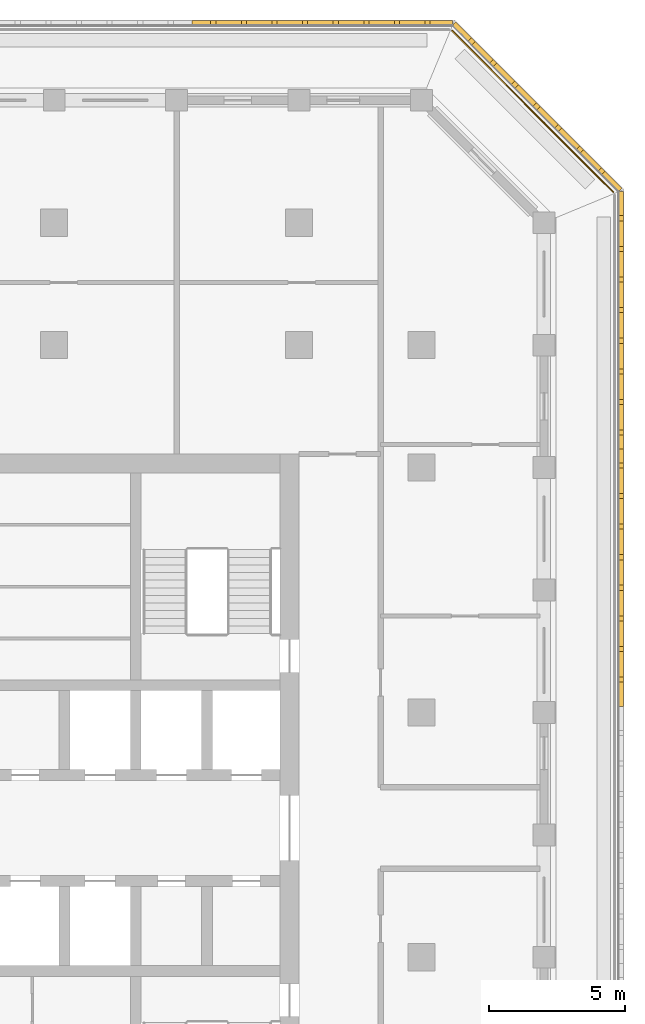
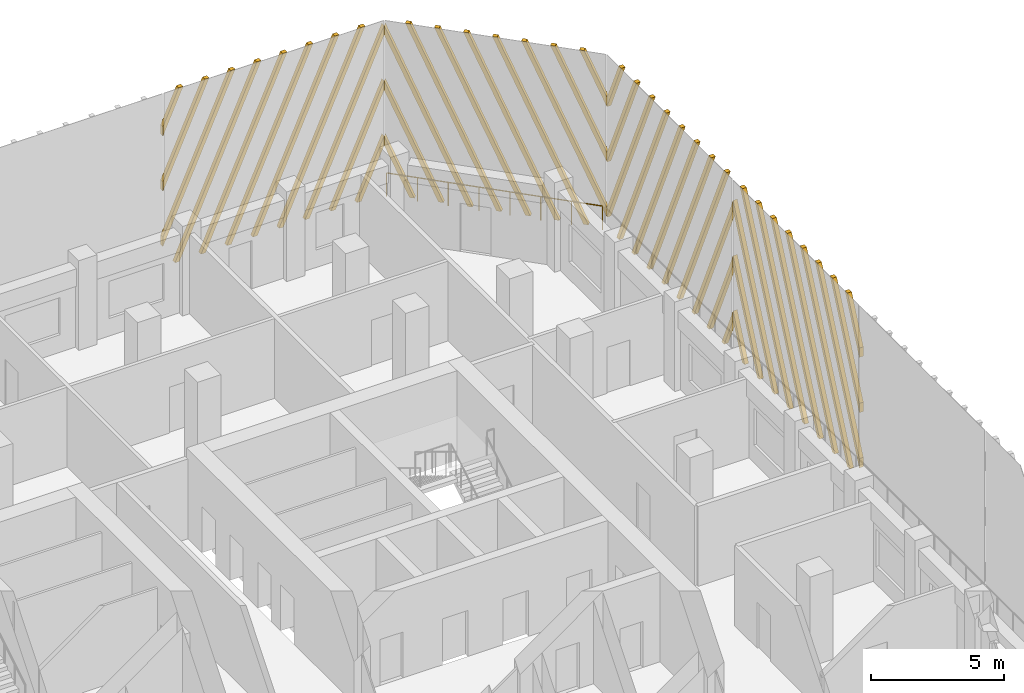
# One storey, part 16 of 17: 4 shading devices, 1 railing.
"""IFC4 building model written with IfcOpenShell, lengths in metres."""

from ifc_helpers import new_model, si_unit, direction, frame, origin, origin_2d, place, context, subcontext, project, spatial, polyline, circle, outline, extrude, source, transform, mapped, material, type_object, element, save


model = new_model("IFC4")

# Units and contexts
model_context = context("Model", 3, precision=1e-05, world=origin(), true_north=direction((0.0, 1.0)))
body_context = subcontext(model_context, "Body", "Model", "MODEL_VIEW")
ifc_project = project(units=[si_unit("LENGTHUNIT", "METRE"), si_unit("AREAUNIT", "SQUARE_METRE"), si_unit("VOLUMEUNIT", "CUBIC_METRE"), si_unit("PLANEANGLEUNIT", "RADIAN"), si_unit("MASSUNIT", "GRAM", prefix="KILO")], contexts=[model_context])

# Site, building, storey
site_placement = place(None, origin())
site = spatial("IfcSite", under=ifc_project, at=site_placement, CompositionType="ELEMENT")
building_placement = place(site_placement, origin())
building = spatial("IfcBuilding", under=site, at=building_placement, Name="Corbel Stack Research Tower", CompositionType="ELEMENT")
storey_placement = place(building_placement, frame((0.0, 0.0, 239.800048828125)))
storey = spatial("IfcBuildingStorey", under=building, at=storey_placement, Name="L54", CompositionType="ELEMENT", Elevation=239.800048828125)

# Railing
ifc_material_1 = material(Name="Powder-coated steel guard", Category="steel")
railing_type = type_object("IfcRailingType", Name="Steel and glass guard 1100", PredefinedType="GUARDRAIL", material=ifc_material_1)
railing_placement = place(storey_placement, frame((29.54931640625, 28.127685546875, 0.0)))
element("IfcRailing", 1, at=railing_placement, inside=storey, type_object=railing_type, Name="Loggia guard L54 NE", PredefinedType="GUARDRAIL", context=body_context, shape_type="SweptSolid", body=[
    extrude(circle(Radius=0.02392578125, at=origin_2d()), frame((0.0, 0.0, 1.076171875), z_axis=(-0.707106781187, 0.707106781187, 0.0), x_axis=(-0.707106781187, -0.707106781187, 0.0)), (0.0, 0.0, 1.0), 8.37451171875),
    extrude(circle(Radius=0.02099609375, at=origin_2d()), origin(), (0.0, 0.0, 1.0), 1.052001953125),
    extrude(circle(Radius=0.02099609375, at=origin_2d()), frame((-0.845947265625, 0.845947265625, 0.0)), (0.0, 0.0, 1.0), 1.052001953125),
    extrude(circle(Radius=0.02099609375, at=origin_2d()), frame((-1.69189453125, 1.69189453125, 0.0)), (0.0, 0.0, 1.0), 1.052001953125),
    extrude(circle(Radius=0.02099609375, at=origin_2d()), frame((-2.537841796875, 2.537841796875, 0.0)), (0.0, 0.0, 1.0), 1.052001953125),
    extrude(circle(Radius=0.02099609375, at=origin_2d()), frame((-3.3837890625, 3.3837890625, 0.0)), (0.0, 0.0, 1.0), 1.052001953125),
    extrude(circle(Radius=0.02099609375, at=origin_2d()), frame((-4.229736328125, 4.229736328125, 0.0)), (0.0, 0.0, 1.0), 1.052001953125),
    extrude(circle(Radius=0.02099609375, at=origin_2d()), frame((-5.07568359375, 5.07568359375, 0.0)), (0.0, 0.0, 1.0), 1.052001953125),
    extrude(circle(Radius=0.02099609375, at=origin_2d()), frame((-5.921630859375, 5.921630859375, 0.0)), (0.0, 0.0, 1.0), 1.052001953125),
])

# Shading devices
ifc_material_2 = material(Name="Precast terracotta", Category="masonry")
shading_device_type = type_object("IfcShadingDeviceType", Name="Terracotta screen panel", PredefinedType="USERDEFINED", material=ifc_material_2)
shared_shape_1 = source(origin(), body_context, "Body", "SweptSolid", [
    extrude(outline(polyline([(0.862060546875, 0.0), (0.0, 1.936279296875), (0.0, 1.509521484375), (0.672119140625, 0.0), (0.862060546875, 0.0)])), frame((0.0, 0.0, 0.0), z_axis=(0.0, -1.0, 0.0), x_axis=(1.0, 0.0, 0.0)), (0.0, 0.0, 1.0), 0.179931640625),
    extrude(outline(polyline([(1.987060546875, 0.0), (0.0, 4.463134765625), (0.0, 4.036376953125), (1.797119140625, 0.0), (1.987060546875, 0.0)])), frame((0.0, 0.0, 0.0), z_axis=(0.0, -1.0, 0.0), x_axis=(1.0, 0.0, 0.0)), (0.0, 0.0, 1.0), 0.179931640625),
    extrude(outline(polyline([(3.112060546875, 0.0), (0.0, 6.989990234375), (0.0, 6.563232421875), (2.922119140625, 0.0), (3.112060546875, 0.0)])), frame((0.0, 0.0, 0.0), z_axis=(0.0, -1.0, 0.0), x_axis=(1.0, 0.0, 0.0)), (0.0, 0.0, 1.0), 0.179931640625),
    extrude(outline(polyline([(4.237060546875, 0.0), (0.697509765625, 7.949951171875), (0.507568359375, 7.949951171875), (4.047119140625, 0.0), (4.237060546875, 0.0)])), frame((0.0, 0.0, 0.0), z_axis=(0.0, -1.0, 0.0), x_axis=(1.0, 0.0, 0.0)), (0.0, 0.0, 1.0), 0.179931640625),
    extrude(outline(polyline([(5.362060546875, 0.0), (1.822509765625, 7.949951171875), (1.632568359375, 7.949951171875), (5.172119140625, 0.0), (5.362060546875, 0.0)])), frame((0.0, 0.0, 0.0), z_axis=(0.0, -1.0, 0.0), x_axis=(1.0, 0.0, 0.0)), (0.0, 0.0, 1.0), 0.179931640625),
    extrude(outline(polyline([(6.487060546875, 0.0), (2.947509765625, 7.949951171875), (2.757568359375, 7.949951171875), (6.297119140625, 0.0), (6.487060546875, 0.0)])), frame((0.0, 0.0, 0.0), z_axis=(0.0, -1.0, 0.0), x_axis=(1.0, 0.0, 0.0)), (0.0, 0.0, 1.0), 0.179931640625),
    extrude(outline(polyline([(7.612060546875, 0.0), (4.072509765625, 7.949951171875), (3.882568359375, 7.949951171875), (7.422119140625, 0.0), (7.612060546875, 0.0)])), frame((0.0, 0.0, 0.0), z_axis=(0.0, -1.0, 0.0), x_axis=(1.0, 0.0, 0.0)), (0.0, 0.0, 1.0), 0.179931640625),
    extrude(outline(polyline([(8.737060546875, 0.0), (5.197509765625, 7.949951171875), (5.007568359375, 7.949951171875), (8.547119140625, 0.0), (8.737060546875, 0.0)])), frame((0.0, 0.0, 0.0), z_axis=(0.0, -1.0, 0.0), x_axis=(1.0, 0.0, 0.0)), (0.0, 0.0, 1.0), 0.179931640625),
    extrude(outline(polyline([(6.322509765625, 7.949951171875), (6.132568359375, 7.949951171875), (9.45556640625, 0.486328125), (9.45556640625, 0.9130859375), (6.322509765625, 7.949951171875)])), frame((0.0, 0.0, 0.0), z_axis=(0.0, -1.0, 0.0), x_axis=(1.0, 0.0, 0.0)), (0.0, 0.0, 1.0), 0.179931640625),
    extrude(outline(polyline([(7.447509765625, 7.949951171875), (7.257568359375, 7.949951171875), (9.45556640625, 3.01318359375), (9.45556640625, 3.439697265625), (7.447509765625, 7.949951171875)])), frame((0.0, 0.0, 0.0), z_axis=(0.0, -1.0, 0.0), x_axis=(1.0, 0.0, 0.0)), (0.0, 0.0, 1.0), 0.179931640625),
    extrude(outline(polyline([(8.572509765625, 7.949951171875), (8.382568359375, 7.949951171875), (9.45556640625, 5.539794921875), (9.45556640625, 5.966552734375), (8.572509765625, 7.949951171875)])), frame((0.0, 0.0, 0.0), z_axis=(0.0, -1.0, 0.0), x_axis=(1.0, 0.0, 0.0)), (0.0, 0.0, 1.0), 0.179931640625),
])
shading_device_1_placement = place(storey_placement, frame((29.75, 18.68359375, 0.0), z_axis=(0.0, 0.0, 1.0), x_axis=(0.0, 1.0, 0.0)))
element("IfcShadingDevice", 2, at=shading_device_1_placement, inside=storey, type_object=shading_device_type, Name="Terracotta screen L54 E5", ObjectType="SCREEN", PredefinedType="USERDEFINED", context=body_context, shape_type="MappedRepresentation", body=[
    mapped(shared_shape_1, transform((0.0, 0.0, 0.0))),
])
shared_shape_2 = source(origin(), body_context, "Body", "SweptSolid", [
    extrude(outline(polyline([(1.072998046875, 7.949951171875), (0.883056640625, 7.949951171875), (0.0, 5.966552734375), (0.0, 5.539794921875), (1.072998046875, 7.949951171875)])), frame((0.0, 0.0, 0.0), z_axis=(0.0, -1.0, 0.0), x_axis=(1.0, 0.0, 0.0)), (0.0, 0.0, 1.0), 0.179931640625),
    extrude(outline(polyline([(2.197998046875, 7.949951171875), (2.008056640625, 7.949951171875), (0.0, 3.439697265625), (0.0, 3.01318359375), (2.197998046875, 7.949951171875)])), frame((0.0, 0.0, 0.0), z_axis=(0.0, -1.0, 0.0), x_axis=(1.0, 0.0, 0.0)), (0.0, 0.0, 1.0), 0.179931640625),
    extrude(outline(polyline([(3.322998046875, 7.949951171875), (3.133056640625, 7.949951171875), (0.0, 0.9130859375), (0.0, 0.486328125), (3.322998046875, 7.949951171875)])), frame((0.0, 0.0, 0.0), z_axis=(0.0, -1.0, 0.0), x_axis=(1.0, 0.0, 0.0)), (0.0, 0.0, 1.0), 0.179931640625),
    extrude(outline(polyline([(0.908447265625, 0.0), (4.447998046875, 7.949951171875), (4.258056640625, 7.949951171875), (0.718505859375, 0.0), (0.908447265625, 0.0)])), frame((0.0, 0.0, 0.0), z_axis=(0.0, -1.0, 0.0), x_axis=(1.0, 0.0, 0.0)), (0.0, 0.0, 1.0), 0.179931640625),
    extrude(outline(polyline([(2.033447265625, 0.0), (5.572998046875, 7.949951171875), (5.383056640625, 7.949951171875), (1.843505859375, 0.0), (2.033447265625, 0.0)])), frame((0.0, 0.0, 0.0), z_axis=(0.0, -1.0, 0.0), x_axis=(1.0, 0.0, 0.0)), (0.0, 0.0, 1.0), 0.179931640625),
    extrude(outline(polyline([(3.158447265625, 0.0), (6.697998046875, 7.949951171875), (6.508056640625, 7.949951171875), (2.968505859375, 0.0), (3.158447265625, 0.0)])), frame((0.0, 0.0, 0.0), z_axis=(0.0, -1.0, 0.0), x_axis=(1.0, 0.0, 0.0)), (0.0, 0.0, 1.0), 0.179931640625),
    extrude(outline(polyline([(4.283447265625, 0.0), (7.822998046875, 7.949951171875), (7.633056640625, 7.949951171875), (4.093505859375, 0.0), (4.283447265625, 0.0)])), frame((0.0, 0.0, 0.0), z_axis=(0.0, -1.0, 0.0), x_axis=(1.0, 0.0, 0.0)), (0.0, 0.0, 1.0), 0.179931640625),
    extrude(outline(polyline([(5.408447265625, 0.0), (8.947998046875, 7.949951171875), (8.758056640625, 7.949951171875), (5.218505859375, 0.0), (5.408447265625, 0.0)])), frame((0.0, 0.0, 0.0), z_axis=(0.0, -1.0, 0.0), x_axis=(1.0, 0.0, 0.0)), (0.0, 0.0, 1.0), 0.179931640625),
    extrude(outline(polyline([(6.533447265625, 0.0), (9.45556640625, 6.563232421875), (9.45556640625, 6.989990234375), (6.343505859375, 0.0), (6.533447265625, 0.0)])), frame((0.0, 0.0, 0.0), z_axis=(0.0, -1.0, 0.0), x_axis=(1.0, 0.0, 0.0)), (0.0, 0.0, 1.0), 0.179931640625),
    extrude(outline(polyline([(7.658447265625, 0.0), (9.45556640625, 4.036376953125), (9.45556640625, 4.463134765625), (7.468505859375, 0.0), (7.658447265625, 0.0)])), frame((0.0, 0.0, 0.0), z_axis=(0.0, -1.0, 0.0), x_axis=(1.0, 0.0, 0.0)), (0.0, 0.0, 1.0), 0.179931640625),
    extrude(outline(polyline([(8.783447265625, 0.0), (9.45556640625, 1.509521484375), (9.45556640625, 1.936279296875), (8.593505859375, 0.0), (8.783447265625, 0.0)])), frame((0.0, 0.0, 0.0), z_axis=(0.0, -1.0, 0.0), x_axis=(1.0, 0.0, 0.0)), (0.0, 0.0, 1.0), 0.179931640625),
])
shading_device_2_placement = place(storey_placement, frame((29.75, 9.227783203125, 0.0), z_axis=(0.0, 0.0, 1.0), x_axis=(0.0, 1.0, 0.0)))
element("IfcShadingDevice", 3, at=shading_device_2_placement, inside=storey, type_object=shading_device_type, Name="Terracotta screen L54 E4", ObjectType="SCREEN", PredefinedType="USERDEFINED", context=body_context, shape_type="MappedRepresentation", body=[
    mapped(shared_shape_2, transform((0.0, 0.0, 0.0))),
])
shared_shape_3 = source(origin(), body_context, "Body", "SweptSolid", [
    extrude(outline(polyline([(1.072998046875, 7.949951171875), (0.883056640625, 7.949951171875), (0.0, 5.966552734375), (0.0, 5.539794921875), (1.072998046875, 7.949951171875)])), frame((0.0, 0.0, 0.0), z_axis=(0.0, -1.0, 0.0), x_axis=(1.0, 0.0, 0.0)), (0.0, 0.0, 1.0), 0.179931640625),
    extrude(outline(polyline([(2.197998046875, 7.949951171875), (2.008056640625, 7.949951171875), (0.0, 3.439697265625), (0.0, 3.01318359375), (2.197998046875, 7.949951171875)])), frame((0.0, 0.0, 0.0), z_axis=(0.0, -1.0, 0.0), x_axis=(1.0, 0.0, 0.0)), (0.0, 0.0, 1.0), 0.179931640625),
    extrude(outline(polyline([(3.322998046875, 7.949951171875), (3.133056640625, 7.949951171875), (0.0, 0.9130859375), (0.0, 0.486328125), (3.322998046875, 7.949951171875)])), frame((0.0, 0.0, 0.0), z_axis=(0.0, -1.0, 0.0), x_axis=(1.0, 0.0, 0.0)), (0.0, 0.0, 1.0), 0.179931640625),
    extrude(outline(polyline([(0.908447265625, 0.0), (4.447998046875, 7.949951171875), (4.258056640625, 7.949951171875), (0.718505859375, 0.0), (0.908447265625, 0.0)])), frame((0.0, 0.0, 0.0), z_axis=(0.0, -1.0, 0.0), x_axis=(1.0, 0.0, 0.0)), (0.0, 0.0, 1.0), 0.179931640625),
    extrude(outline(polyline([(2.033447265625, 0.0), (5.572998046875, 7.949951171875), (5.383056640625, 7.949951171875), (1.843505859375, 0.0), (2.033447265625, 0.0)])), frame((0.0, 0.0, 0.0), z_axis=(0.0, -1.0, 0.0), x_axis=(1.0, 0.0, 0.0)), (0.0, 0.0, 1.0), 0.179931640625),
    extrude(outline(polyline([(3.158447265625, 0.0), (6.697998046875, 7.949951171875), (6.508056640625, 7.949951171875), (2.968505859375, 0.0), (3.158447265625, 0.0)])), frame((0.0, 0.0, 0.0), z_axis=(0.0, -1.0, 0.0), x_axis=(1.0, 0.0, 0.0)), (0.0, 0.0, 1.0), 0.179931640625),
    extrude(outline(polyline([(4.283447265625, 0.0), (7.822998046875, 7.949951171875), (7.633056640625, 7.949951171875), (4.093505859375, 0.0), (4.283447265625, 0.0)])), frame((0.0, 0.0, 0.0), z_axis=(0.0, -1.0, 0.0), x_axis=(1.0, 0.0, 0.0)), (0.0, 0.0, 1.0), 0.179931640625),
    extrude(outline(polyline([(5.408447265625, 0.0), (8.64208984375, 7.262939453125), (8.64208984375, 7.689697265625), (5.218505859375, 0.0), (5.408447265625, 0.0)])), frame((0.0, 0.0, 0.0), z_axis=(0.0, -1.0, 0.0), x_axis=(1.0, 0.0, 0.0)), (0.0, 0.0, 1.0), 0.179931640625),
    extrude(outline(polyline([(6.533447265625, 0.0), (8.64208984375, 4.736083984375), (8.64208984375, 5.162841796875), (6.343505859375, 0.0), (6.533447265625, 0.0)])), frame((0.0, 0.0, 0.0), z_axis=(0.0, -1.0, 0.0), x_axis=(1.0, 0.0, 0.0)), (0.0, 0.0, 1.0), 0.179931640625),
    extrude(outline(polyline([(7.658447265625, 0.0), (8.64208984375, 2.209228515625), (8.64208984375, 2.635986328125), (7.468505859375, 0.0), (7.658447265625, 0.0)])), frame((0.0, 0.0, 0.0), z_axis=(0.0, -1.0, 0.0), x_axis=(1.0, 0.0, 0.0)), (0.0, 0.0, 1.0), 0.179931640625),
])
shading_device_3_placement = place(storey_placement, frame((29.75, 28.13916015625, 0.0), z_axis=(0.0, 0.0, 1.0), x_axis=(-0.707106781187, 0.707106781187, 0.0)))
element("IfcShadingDevice", 4, at=shading_device_3_placement, inside=storey, type_object=shading_device_type, Name="Terracotta screen L54 NE1", ObjectType="SCREEN", PredefinedType="USERDEFINED", context=body_context, shape_type="MappedRepresentation", body=[
    mapped(shared_shape_3, transform((0.0, 0.0, 0.0))),
])
shared_shape_4 = source(origin(), body_context, "Body", "SweptSolid", [
    extrude(outline(polyline([(1.173583984375, 0.0), (0.0, 2.635986328125), (0.0, 2.209228515625), (0.983642578125, 0.0), (1.173583984375, 0.0)])), frame((0.0, 0.0, 0.0), z_axis=(0.0, -1.0, 0.0), x_axis=(1.0, 0.0, 0.0)), (0.0, 0.0, 1.0), 0.179931640625),
    extrude(outline(polyline([(2.298583984375, 0.0), (0.0, 5.162841796875), (0.0, 4.736083984375), (2.108642578125, 0.0), (2.298583984375, 0.0)])), frame((0.0, 0.0, 0.0), z_axis=(0.0, -1.0, 0.0), x_axis=(1.0, 0.0, 0.0)), (0.0, 0.0, 1.0), 0.179931640625),
    extrude(outline(polyline([(3.423583984375, 0.0), (0.0, 7.689697265625), (0.0, 7.262939453125), (3.233642578125, 0.0), (3.423583984375, 0.0)])), frame((0.0, 0.0, 0.0), z_axis=(0.0, -1.0, 0.0), x_axis=(1.0, 0.0, 0.0)), (0.0, 0.0, 1.0), 0.179931640625),
    extrude(outline(polyline([(4.548583984375, 0.0), (1.009033203125, 7.949951171875), (0.819091796875, 7.949951171875), (4.358642578125, 0.0), (4.548583984375, 0.0)])), frame((0.0, 0.0, 0.0), z_axis=(0.0, -1.0, 0.0), x_axis=(1.0, 0.0, 0.0)), (0.0, 0.0, 1.0), 0.179931640625),
    extrude(outline(polyline([(5.673583984375, 0.0), (2.134033203125, 7.949951171875), (1.944091796875, 7.949951171875), (5.483642578125, 0.0), (5.673583984375, 0.0)])), frame((0.0, 0.0, 0.0), z_axis=(0.0, -1.0, 0.0), x_axis=(1.0, 0.0, 0.0)), (0.0, 0.0, 1.0), 0.179931640625),
    extrude(outline(polyline([(6.798583984375, 0.0), (3.259033203125, 7.949951171875), (3.069091796875, 7.949951171875), (6.608642578125, 0.0), (6.798583984375, 0.0)])), frame((0.0, 0.0, 0.0), z_axis=(0.0, -1.0, 0.0), x_axis=(1.0, 0.0, 0.0)), (0.0, 0.0, 1.0), 0.179931640625),
    extrude(outline(polyline([(7.923583984375, 0.0), (4.384033203125, 7.949951171875), (4.194091796875, 7.949951171875), (7.733642578125, 0.0), (7.923583984375, 0.0)])), frame((0.0, 0.0, 0.0), z_axis=(0.0, -1.0, 0.0), x_axis=(1.0, 0.0, 0.0)), (0.0, 0.0, 1.0), 0.179931640625),
    extrude(outline(polyline([(9.048583984375, 0.0), (5.509033203125, 7.949951171875), (5.319091796875, 7.949951171875), (8.858642578125, 0.0), (9.048583984375, 0.0)])), frame((0.0, 0.0, 0.0), z_axis=(0.0, -1.0, 0.0), x_axis=(1.0, 0.0, 0.0)), (0.0, 0.0, 1.0), 0.179931640625),
    extrude(outline(polyline([(6.634033203125, 7.949951171875), (6.444091796875, 7.949951171875), (9.569580078125, 0.93017578125), (9.569580078125, 1.356689453125), (6.634033203125, 7.949951171875)])), frame((0.0, 0.0, 0.0), z_axis=(0.0, -1.0, 0.0), x_axis=(1.0, 0.0, 0.0)), (0.0, 0.0, 1.0), 0.179931640625),
    extrude(outline(polyline([(7.759033203125, 7.949951171875), (7.569091796875, 7.949951171875), (9.569580078125, 3.456787109375), (9.569580078125, 3.883544921875), (7.759033203125, 7.949951171875)])), frame((0.0, 0.0, 0.0), z_axis=(0.0, -1.0, 0.0), x_axis=(1.0, 0.0, 0.0)), (0.0, 0.0, 1.0), 0.179931640625),
    extrude(outline(polyline([(8.884033203125, 7.949951171875), (8.694091796875, 7.949951171875), (9.569580078125, 5.983642578125), (9.569580078125, 6.410400390625), (8.884033203125, 7.949951171875)])), frame((0.0, 0.0, 0.0), z_axis=(0.0, -1.0, 0.0), x_axis=(1.0, 0.0, 0.0)), (0.0, 0.0, 1.0), 0.179931640625),
])
shading_device_4_placement = place(storey_placement, frame((23.63916015625, 34.25, 0.0), z_axis=(0.0, 0.0, 1.0), x_axis=(-1.0, 0.0, 0.0)))
element("IfcShadingDevice", 5, at=shading_device_4_placement, inside=storey, type_object=shading_device_type, Name="Terracotta screen L54 N1", ObjectType="SCREEN", PredefinedType="USERDEFINED", context=body_context, shape_type="MappedRepresentation", body=[
    mapped(shared_shape_4, transform((0.0, 0.0, 0.0))),
])

save(model, "model.ifc")
